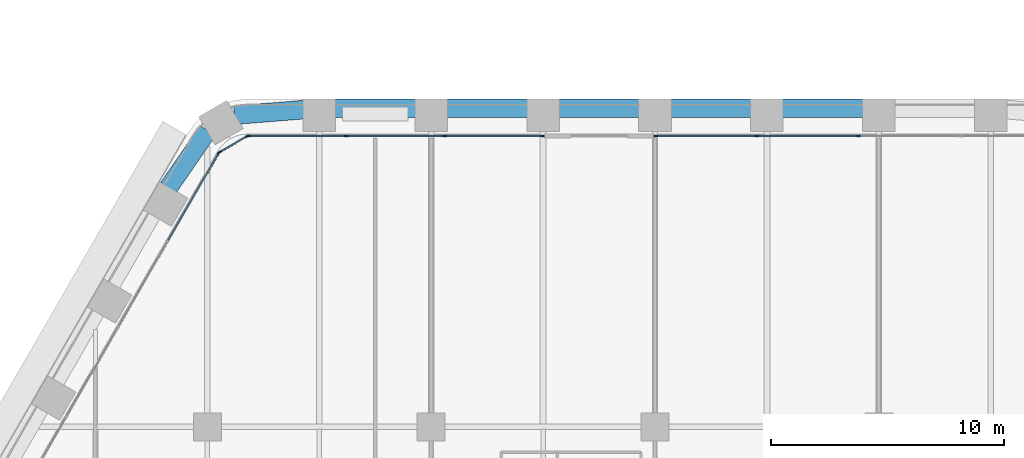
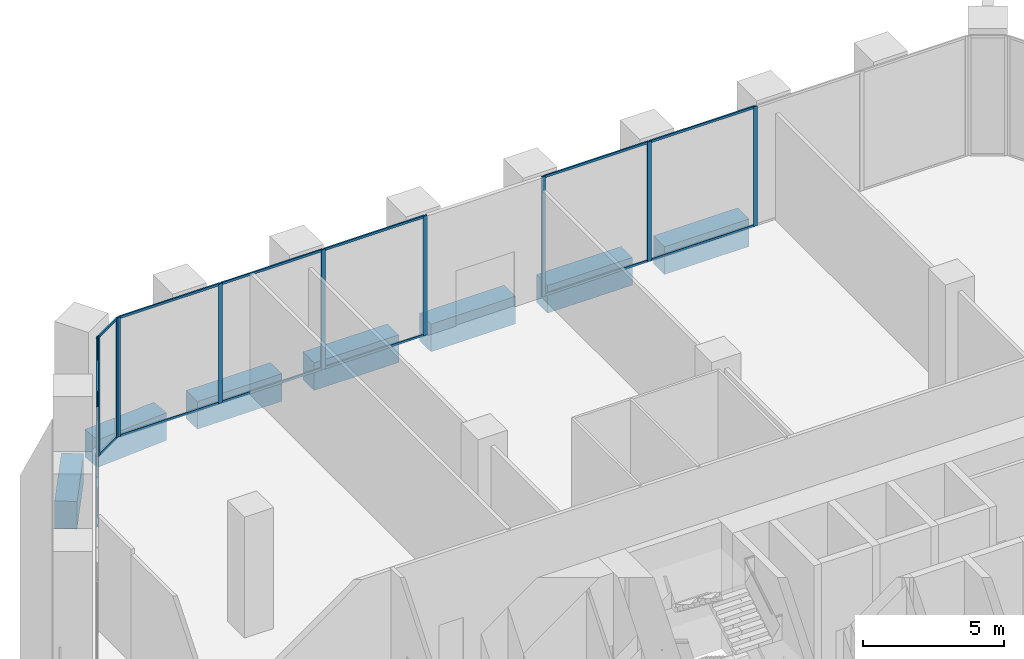
# One storey, part 14 of 29: 24 members, 7 beams, 4 elements without a shape of their own.
"""IFC4 building model written with IfcOpenShell, lengths in metres."""

from ifc_helpers import new_model, si_unit, direction, frame, origin, origin_2d, place, context, subcontext, project, spatial, rectangle, extrude, material, material_profile, profile_set, type_object, element, aggregate, save


model = new_model("IFC4")

# Units and contexts
model_context = context("Model", 3, precision=1e-05, world=origin(), true_north=direction((0.0, 1.0)))
body_context = subcontext(model_context, "Body", "Model", "MODEL_VIEW")
ifc_project = project(units=[si_unit("LENGTHUNIT", "METRE"), si_unit("AREAUNIT", "SQUARE_METRE"), si_unit("VOLUMEUNIT", "CUBIC_METRE"), si_unit("PLANEANGLEUNIT", "RADIAN"), si_unit("MASSUNIT", "GRAM", prefix="KILO")], contexts=[model_context])

# Site, building, storey
site_placement = place(None, origin())
site = spatial("IfcSite", under=ifc_project, at=site_placement, CompositionType="ELEMENT")
building_placement = place(site_placement, origin())
building = spatial("IfcBuilding", under=site, at=building_placement, Name="Kolab Exchange Tower", CompositionType="ELEMENT")
storey_placement = place(building_placement, frame((0.0, 0.0, 55.39990234375)))
storey = spatial("IfcBuildingStorey", under=building, at=storey_placement, Name="L10", CompositionType="ELEMENT", Elevation=55.39990234375)

# Beams
ifc_material_1 = material(Name="Concrete C80/95", Category="concrete")
ifc_material_profile_1 = material_profile(ifc_material_1, rectangle(XDim=0.800048828125, YDim=1.199951171875, at=origin_2d()), Name="RC800X1200")
ifc_profile_set_1 = profile_set([ifc_material_profile_1], Name="Concrete C80/95")
beam_type = type_object("IfcBeamType", Name="SPANDREL BEAM 800X1200 C80/95", PredefinedType="BEAM", material=ifc_profile_set_1)
beam_1_placement = place(storey_placement, frame((-18.03515625, 32.5654296875, -0.849853515625), z_axis=(0.996833978278, 0.07951112973, 0.0), x_axis=(-0.07951112973, 0.996833978278, 0.0)))
element("IfcBeam", 1, at=beam_1_placement, inside=storey, type_object=beam_type, Name="beam/L10/sp/F1-01", PredefinedType="BEAM", context=body_context, shape_type="SweptSolid", body=[
    extrude(rectangle(XDim=0.800048828125, YDim=1.199951171875, at=origin_2d()), origin(), (0.0, 0.0, 1.0), 2.984619140625),
])
for number, where, z_axis, x_axis, name in (
    (2, (-13.739990234375, 32.85546875, -0.849853515625), (1.0, 0.0, 0.0), (0.0, 1.0, 0.0), "beam/L10/sp/F1-02"),
    (3, (-8.93994140625, 32.85546875, -0.849853515625), (1.0, 0.0, 0.0), (0.0, 1.0, 0.0), "beam/L10/sp/F1-03"),
    (4, (-4.139892578125, 32.85546875, -0.849853515625), (1.0, 0.0, 0.0), (0.0, 1.0, 0.0), "beam/L10/sp/F1-04"),
    (5, (0.659912109375, 32.85546875, -0.849853515625), (1.0, 0.0, 0.0), (0.0, 1.0, 0.0), "beam/L10/sp/F1-05"),
    (6, (5.4599609375, 32.85546875, -0.849853515625), (1.0, 0.0, 0.0), (0.0, 1.0, 0.0), "beam/L10/sp/F1-06"),
):
    element("IfcBeam", number, at=place(storey_placement, frame(where, z_axis=z_axis, x_axis=x_axis)), inside=storey, type_object=beam_type, Name=name, PredefinedType="BEAM", context=body_context, shape_type="SweptSolid", body=[
        extrude(rectangle(XDim=0.800048828125, YDim=1.199951171875, at=origin_2d()), origin(), (0.0, 0.0, 1.0), 3.47998046875),
    ])
beam_2_placement = place(storey_placement, frame((-20.8779296875, 29.44384765625, -0.849853515625), z_axis=(0.567247290755, 0.823547516013, 0.0), x_axis=(-0.823547516013, 0.567247290755, 0.0)))
element("IfcBeam", 7, at=beam_2_placement, inside=storey, type_object=beam_type, Name="beam/L10/sp/F6-08", PredefinedType="BEAM", context=body_context, shape_type="SweptSolid", body=[
    extrude(rectangle(XDim=0.800048828125, YDim=1.199951171875, at=origin_2d()), origin(), (0.0, 0.0, 1.0), 2.984375),
])

# Curtain wall, members
ifc_material_2 = material(Name="Aluminium EN AW-6063 T6", Category="aluminium")
curtain_wall_type = type_object("IfcCurtainWallType", Name="UNITISED LOW ZONE CURTAIN WALL", PredefinedType="NOTDEFINED", material=ifc_material_2)
curtain_wall_1_placement = place(storey_placement, origin())
curtain_wall_1 = element("IfcCurtainWall", 8, at=curtain_wall_1_placement, inside=storey, type_object=curtain_wall_type, Name="cw/L10/F1-1", PredefinedType="NOTDEFINED")
ifc_material_profile_2 = material_profile(ifc_material_2, rectangle(XDim=0.06005859375, YDim=0.159912109375, at=origin_2d()), Name="RECT 60X160")
ifc_profile_set_2 = profile_set([ifc_material_profile_2], Name="Aluminium EN AW-6063 T6")
member_type_1 = type_object("IfcMemberType", Name="UNITISED LOW ZONE MULLION 60 X 160", PredefinedType="MULLION", material=ifc_profile_set_2)
member_1_placement = place(storey_placement, frame((-17.43798828125, 31.67529296875, 0.0), z_axis=(0.0, 0.0, 1.0), x_axis=(0.0, 1.0, 0.0)))
member_1 = element("IfcMember", 9, at=member_1_placement, type_object=member_type_1, Name="CW1 mullion 1", PredefinedType="MULLION", context=body_context, shape_type="SweptSolid", body=[
    extrude(rectangle(XDim=0.06005859375, YDim=0.159912109375, at=origin_2d()), origin(), (0.0, 0.0, 1.0), 5.2001953125),
])
member_2_placement = place(storey_placement, frame((-13.245361328125, 31.67529296875, 0.0), z_axis=(0.0, 0.0, 1.0), x_axis=(0.0, 1.0, 0.0)))
member_2 = element("IfcMember", 10, at=member_2_placement, type_object=member_type_1, Name="CW1 mullion 2", PredefinedType="MULLION", context=body_context, shape_type="SweptSolid", body=[
    extrude(rectangle(XDim=0.06005859375, YDim=0.159912109375, at=origin_2d()), origin(), (0.0, 0.0, 1.0), 5.2001953125),
])
member_3_placement = place(storey_placement, frame((-9.022705078125, 31.67529296875, 0.0), z_axis=(0.0, 0.0, 1.0), x_axis=(0.0, 1.0, 0.0)))
member_3 = element("IfcMember", 11, at=member_3_placement, type_object=member_type_1, Name="CW1 mullion 3", PredefinedType="MULLION", context=body_context, shape_type="SweptSolid", body=[
    extrude(rectangle(XDim=0.06005859375, YDim=0.159912109375, at=origin_2d()), origin(), (0.0, 0.0, 1.0), 5.2001953125),
])
member_4_placement = place(storey_placement, frame((-4.830078125, 31.67529296875, 0.0), z_axis=(0.0, 0.0, 1.0), x_axis=(0.0, 1.0, 0.0)))
member_4 = element("IfcMember", 12, at=member_4_placement, type_object=member_type_1, Name="CW1 mullion 4", PredefinedType="MULLION", context=body_context, shape_type="SweptSolid", body=[
    extrude(rectangle(XDim=0.06005859375, YDim=0.159912109375, at=origin_2d()), origin(), (0.0, 0.0, 1.0), 5.2001953125),
])

curtain_wall_2_placement = place(storey_placement, origin())
curtain_wall_2 = element("IfcCurtainWall", 13, at=curtain_wall_2_placement, inside=storey, type_object=curtain_wall_type, Name="cw/L10/F1-2", PredefinedType="NOTDEFINED")
member_5_placement = place(storey_placement, frame((0.030029296875, 31.67529296875, 0.0), z_axis=(0.0, 0.0, 1.0), x_axis=(0.0, 1.0, 0.0)))
member_5 = element("IfcMember", 14, at=member_5_placement, type_object=member_type_1, Name="CW1 mullion 1", PredefinedType="MULLION", context=body_context, shape_type="SweptSolid", body=[
    extrude(rectangle(XDim=0.06005859375, YDim=0.159912109375, at=origin_2d()), origin(), (0.0, 0.0, 1.0), 5.2001953125),
])
member_6_placement = place(storey_placement, frame((4.366943359375, 31.67529296875, 0.0), z_axis=(0.0, 0.0, 1.0), x_axis=(0.0, 1.0, 0.0)))
member_6 = element("IfcMember", 15, at=member_6_placement, type_object=member_type_1, Name="CW1 mullion 2", PredefinedType="MULLION", context=body_context, shape_type="SweptSolid", body=[
    extrude(rectangle(XDim=0.06005859375, YDim=0.159912109375, at=origin_2d()), origin(), (0.0, 0.0, 1.0), 5.2001953125),
])
member_7_placement = place(storey_placement, frame((8.73388671875, 31.67529296875, 0.0), z_axis=(0.0, 0.0, 1.0), x_axis=(0.0, 1.0, 0.0)))
member_7 = element("IfcMember", 16, at=member_7_placement, type_object=member_type_1, Name="CW1 mullion 3", PredefinedType="MULLION", context=body_context, shape_type="SweptSolid", body=[
    extrude(rectangle(XDim=0.06005859375, YDim=0.159912109375, at=origin_2d()), origin(), (0.0, 0.0, 1.0), 5.2001953125),
])

# Curtain wall, member
curtain_wall_3_placement = place(storey_placement, origin())
curtain_wall_3 = element("IfcCurtainWall", 17, at=curtain_wall_3_placement, inside=storey, type_object=curtain_wall_type, Name="cw/L10/F6-2", PredefinedType="NOTDEFINED")
member_8_placement = place(storey_placement, frame((-18.712646484375, 30.939453125, 0.0), z_axis=(0.0, 0.0, 1.0), x_axis=(-0.866025397318, 0.5000000112, 0.0)))
member_8 = element("IfcMember", 18, at=member_8_placement, type_object=member_type_1, Name="CW1 mullion 5", PredefinedType="MULLION", context=body_context, shape_type="SweptSolid", body=[
    extrude(rectangle(XDim=0.06005859375, YDim=0.159912109375, at=origin_2d()), origin(), (0.0, 0.0, 1.0), 5.2001953125),
])

# Curtain wall, members
curtain_wall_4_placement = place(storey_placement, origin())
curtain_wall_4 = element("IfcCurtainWall", 19, at=curtain_wall_4_placement, inside=storey, type_object=curtain_wall_type, Name="cw/L10/F6F1-corner", PredefinedType="NOTDEFINED")
member_9_placement = place(storey_placement, frame((-18.671630859375, 30.98046875, 0.0), z_axis=(0.0, 0.0, 1.0), x_axis=(-0.50000002237, 0.866025390869, 0.0)))
member_9 = element("IfcMember", 20, at=member_9_placement, type_object=member_type_1, Name="CW1 mullion 1", PredefinedType="MULLION", context=body_context, shape_type="SweptSolid", body=[
    extrude(rectangle(XDim=0.06005859375, YDim=0.159912109375, at=origin_2d()), origin(), (0.0, 0.0, 1.0), 5.2001953125),
])
member_10_placement = place(storey_placement, frame((-17.493896484375, 31.660400390625, 0.0), z_axis=(0.0, 0.0, 1.0), x_axis=(-0.50000002237, 0.866025390869, 0.0)))
member_10 = element("IfcMember", 21, at=member_10_placement, type_object=member_type_1, Name="CW1 mullion 2", PredefinedType="MULLION", context=body_context, shape_type="SweptSolid", body=[
    extrude(rectangle(XDim=0.06005859375, YDim=0.159912109375, at=origin_2d()), origin(), (0.0, 0.0, 1.0), 5.2001953125),
])

# Member
ifc_material_profile_3 = material_profile(ifc_material_2, rectangle(XDim=0.06005859375, YDim=0.10009765625, at=origin_2d()), Name="RECT 60X100")
ifc_profile_set_3 = profile_set([ifc_material_profile_3], Name="Aluminium EN AW-6063 T6")
member_type_2 = type_object("IfcMemberType", Name="UNITISED LOW ZONE TRANSOM 60 X 100", PredefinedType="USERDEFINED", material=ifc_profile_set_3)
member_11_placement = place(storey_placement, frame((-17.407958984375, 31.67529296875, 0.030029296875), z_axis=(1.0, 0.0, 0.0), x_axis=(0.0, 1.0, 0.0)))
member_11 = element("IfcMember", 22, at=member_11_placement, type_object=member_type_2, Name="CW1 transom 1.1", ObjectType="TRANSOM", PredefinedType="USERDEFINED", context=body_context, shape_type="SweptSolid", body=[
    extrude(rectangle(XDim=0.06005859375, YDim=0.10009765625, at=origin_2d()), origin(), (0.0, 0.0, 1.0), 4.132568359375),
])

member_12_placement = place(storey_placement, frame((-17.407958984375, 31.67529296875, 5.170166015625), z_axis=(1.0, 0.0, 0.0), x_axis=(0.0, 1.0, 0.0)))
member_12 = element("IfcMember", 23, at=member_12_placement, type_object=member_type_2, Name="CW1 transom 1.2", ObjectType="TRANSOM", PredefinedType="USERDEFINED", context=body_context, shape_type="SweptSolid", body=[
    extrude(rectangle(XDim=0.06005859375, YDim=0.10009765625, at=origin_2d()), origin(), (0.0, 0.0, 1.0), 4.132568359375),
])

member_13_placement = place(storey_placement, frame((-13.21533203125, 31.67529296875, 0.030029296875), z_axis=(1.0, 0.0, 0.0), x_axis=(0.0, 1.0, 0.0)))
member_13 = element("IfcMember", 24, at=member_13_placement, type_object=member_type_2, Name="CW1 transom 2.1", ObjectType="TRANSOM", PredefinedType="USERDEFINED", context=body_context, shape_type="SweptSolid", body=[
    extrude(rectangle(XDim=0.06005859375, YDim=0.10009765625, at=origin_2d()), origin(), (0.0, 0.0, 1.0), 4.16259765625),
])

member_14_placement = place(storey_placement, frame((-13.21533203125, 31.67529296875, 5.170166015625), z_axis=(1.0, 0.0, 0.0), x_axis=(0.0, 1.0, 0.0)))
member_14 = element("IfcMember", 25, at=member_14_placement, type_object=member_type_2, Name="CW1 transom 2.2", ObjectType="TRANSOM", PredefinedType="USERDEFINED", context=body_context, shape_type="SweptSolid", body=[
    extrude(rectangle(XDim=0.06005859375, YDim=0.10009765625, at=origin_2d()), origin(), (0.0, 0.0, 1.0), 4.16259765625),
])

member_15_placement = place(storey_placement, frame((-8.99267578125, 31.67529296875, 0.030029296875), z_axis=(1.0, 0.0, 0.0), x_axis=(0.0, 1.0, 0.0)))
member_15 = element("IfcMember", 26, at=member_15_placement, type_object=member_type_2, Name="CW1 transom 3.1", ObjectType="TRANSOM", PredefinedType="USERDEFINED", context=body_context, shape_type="SweptSolid", body=[
    extrude(rectangle(XDim=0.06005859375, YDim=0.10009765625, at=origin_2d()), origin(), (0.0, 0.0, 1.0), 4.132568359375),
])

member_16_placement = place(storey_placement, frame((-8.99267578125, 31.67529296875, 5.170166015625), z_axis=(1.0, 0.0, 0.0), x_axis=(0.0, 1.0, 0.0)))
member_16 = element("IfcMember", 27, at=member_16_placement, type_object=member_type_2, Name="CW1 transom 3.2", ObjectType="TRANSOM", PredefinedType="USERDEFINED", context=body_context, shape_type="SweptSolid", body=[
    extrude(rectangle(XDim=0.06005859375, YDim=0.10009765625, at=origin_2d()), origin(), (0.0, 0.0, 1.0), 4.132568359375),
])

aggregate(curtain_wall_1, [member_1, member_2, member_3, member_4, member_11, member_12, member_13, member_14, member_15, member_16])

member_17_placement = place(storey_placement, frame((0.06005859375, 31.67529296875, 0.030029296875), z_axis=(1.0, 0.0, 0.0), x_axis=(0.0, 1.0, 0.0)))
member_17 = element("IfcMember", 28, at=member_17_placement, type_object=member_type_2, Name="CW1 transom 1.1", ObjectType="TRANSOM", PredefinedType="USERDEFINED", context=body_context, shape_type="SweptSolid", body=[
    extrude(rectangle(XDim=0.06005859375, YDim=0.10009765625, at=origin_2d()), origin(), (0.0, 0.0, 1.0), 4.27685546875),
])

member_18_placement = place(storey_placement, frame((0.06005859375, 31.67529296875, 5.170166015625), z_axis=(1.0, 0.0, 0.0), x_axis=(0.0, 1.0, 0.0)))
member_18 = element("IfcMember", 29, at=member_18_placement, type_object=member_type_2, Name="CW1 transom 1.2", ObjectType="TRANSOM", PredefinedType="USERDEFINED", context=body_context, shape_type="SweptSolid", body=[
    extrude(rectangle(XDim=0.06005859375, YDim=0.10009765625, at=origin_2d()), origin(), (0.0, 0.0, 1.0), 4.27685546875),
])

member_19_placement = place(storey_placement, frame((4.39697265625, 31.67529296875, 0.030029296875), z_axis=(1.0, 0.0, 0.0), x_axis=(0.0, 1.0, 0.0)))
member_19 = element("IfcMember", 30, at=member_19_placement, type_object=member_type_2, Name="CW1 transom 2.1", ObjectType="TRANSOM", PredefinedType="USERDEFINED", context=body_context, shape_type="SweptSolid", body=[
    extrude(rectangle(XDim=0.06005859375, YDim=0.10009765625, at=origin_2d()), origin(), (0.0, 0.0, 1.0), 4.306884765625),
])

member_20_placement = place(storey_placement, frame((4.39697265625, 31.67529296875, 5.170166015625), z_axis=(1.0, 0.0, 0.0), x_axis=(0.0, 1.0, 0.0)))
member_20 = element("IfcMember", 31, at=member_20_placement, type_object=member_type_2, Name="CW1 transom 2.2", ObjectType="TRANSOM", PredefinedType="USERDEFINED", context=body_context, shape_type="SweptSolid", body=[
    extrude(rectangle(XDim=0.06005859375, YDim=0.10009765625, at=origin_2d()), origin(), (0.0, 0.0, 1.0), 4.306884765625),
])

aggregate(curtain_wall_2, [member_5, member_6, member_7, member_17, member_18, member_19, member_20])

member_21_placement = place(storey_placement, frame((-20.8662109375, 27.20947265625, 0.030029296875), z_axis=(0.500000816281, 0.866024932504, 0.0), x_axis=(-0.866024932504, 0.500000816281, 0.0)))
member_21 = element("IfcMember", 32, at=member_21_placement, type_object=member_type_2, Name="CW1 transom 4.1", ObjectType="TRANSOM", PredefinedType="USERDEFINED", context=body_context, shape_type="SweptSolid", body=[
    extrude(rectangle(XDim=0.06005859375, YDim=0.10009765625, at=origin_2d()), origin(), (0.0, 0.0, 1.0), 4.27685546875),
])

member_22_placement = place(storey_placement, frame((-20.8662109375, 27.20947265625, 5.170166015625), z_axis=(0.500000816281, 0.866024932504, 0.0), x_axis=(-0.866024932504, 0.500000816281, 0.0)))
member_22 = element("IfcMember", 33, at=member_22_placement, type_object=member_type_2, Name="CW1 transom 4.2", ObjectType="TRANSOM", PredefinedType="USERDEFINED", context=body_context, shape_type="SweptSolid", body=[
    extrude(rectangle(XDim=0.06005859375, YDim=0.10009765625, at=origin_2d()), origin(), (0.0, 0.0, 1.0), 4.27685546875),
])

aggregate(curtain_wall_3, [member_8, member_21, member_22])

member_23_placement = place(storey_placement, frame((-18.645751953125, 30.995361328125, 0.030029296875), z_axis=(0.86603858612, 0.49997716683, 0.0), x_axis=(-0.49997716683, 0.86603858612, 0.0)))
member_23 = element("IfcMember", 34, at=member_23_placement, type_object=member_type_2, Name="CW1 transom 1.1", ObjectType="TRANSOM", PredefinedType="USERDEFINED", context=body_context, shape_type="SweptSolid", body=[
    extrude(rectangle(XDim=0.06005859375, YDim=0.10009765625, at=origin_2d()), origin(), (0.0, 0.0, 1.0), 1.2998046875),
])

member_24_placement = place(storey_placement, frame((-18.645751953125, 30.995361328125, 5.170166015625), z_axis=(0.86603858612, 0.49997716683, 0.0), x_axis=(-0.49997716683, 0.86603858612, 0.0)))
member_24 = element("IfcMember", 35, at=member_24_placement, type_object=member_type_2, Name="CW1 transom 1.2", ObjectType="TRANSOM", PredefinedType="USERDEFINED", context=body_context, shape_type="SweptSolid", body=[
    extrude(rectangle(XDim=0.06005859375, YDim=0.10009765625, at=origin_2d()), origin(), (0.0, 0.0, 1.0), 1.2998046875),
])

aggregate(curtain_wall_4, [member_9, member_10, member_23, member_24])

save(model, "model.ifc")
